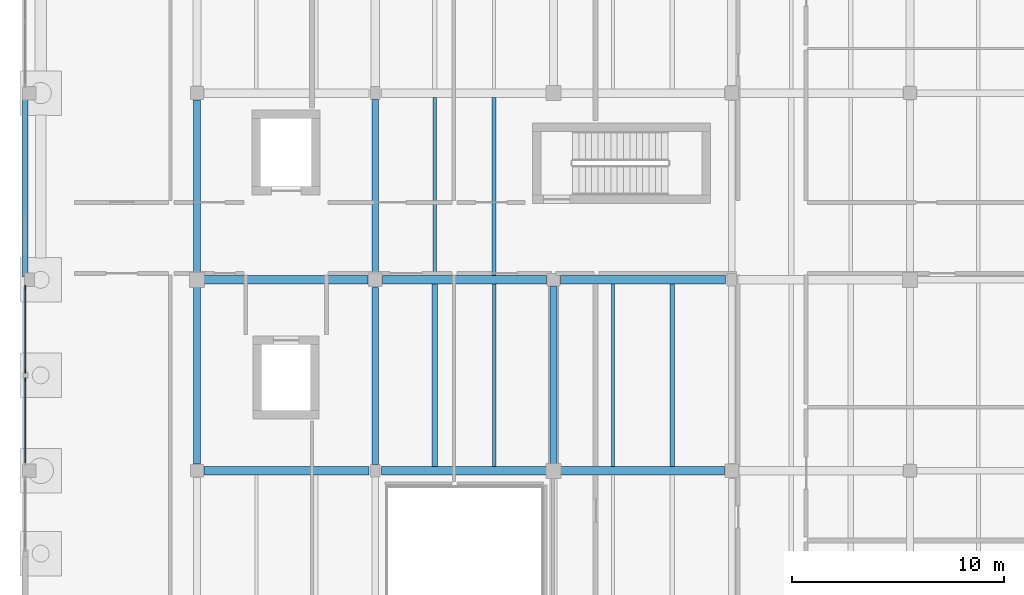
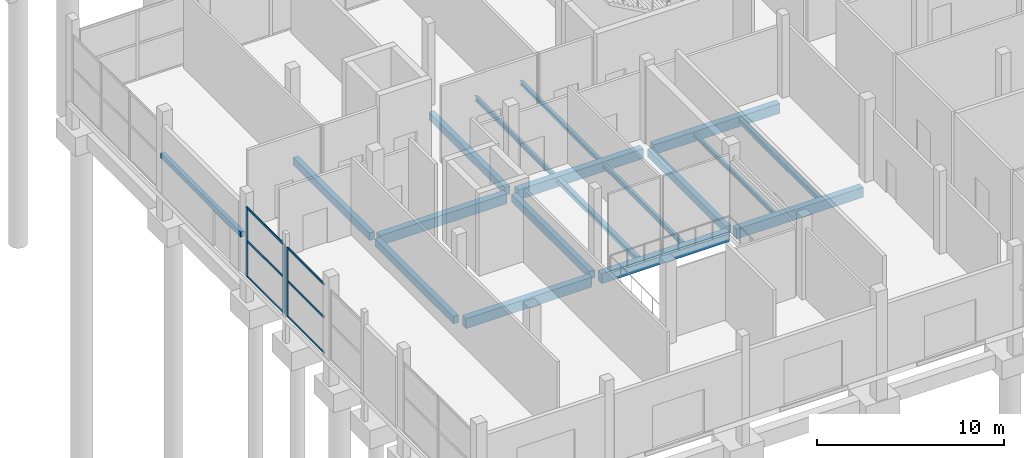
# One storey, part 18 of 88: 18 beams, 9 members, 2 elements without a shape of their own.
"""IFC4 building model written with IfcOpenShell, lengths in metres."""

from ifc_helpers import new_model, si_unit, direction, frame, origin, origin_2d, place, context, subcontext, project, spatial, rectangle, i_section, extrude, material, layer, layer_set, material_profile, profile_set, type_object, element, aggregate, save


model = new_model("IFC4")

# Units and contexts
model_context = context("Model", 3, precision=1e-05, world=origin(), true_north=direction((0.0, 1.0)))
body_context = subcontext(model_context, "Body", "Model", "MODEL_VIEW")
ifc_project = project(units=[si_unit("LENGTHUNIT", "METRE"), si_unit("AREAUNIT", "SQUARE_METRE"), si_unit("VOLUMEUNIT", "CUBIC_METRE"), si_unit("PLANEANGLEUNIT", "RADIAN"), si_unit("MASSUNIT", "GRAM", prefix="KILO")], contexts=[model_context])

# Site, building, storey
site_placement = place(None, origin())
site = spatial("IfcSite", under=ifc_project, at=site_placement, CompositionType="ELEMENT")
building_placement = place(site_placement, origin())
building = spatial("IfcBuilding", under=site, at=building_placement, Name="Birchvale Park Specialist Clinic", CompositionType="ELEMENT")
storey_placement = place(building_placement, origin())
storey = spatial("IfcBuildingStorey", under=building, at=storey_placement, Name="L00", CompositionType="ELEMENT", Elevation=0.0)

# Beams
ifc_material_1 = material(Name="Concrete C40/50", Category="concrete")
ifc_material_profile_1 = material_profile(ifc_material_1, rectangle(XDim=0.39990234375, YDim=0.64990234375, at=origin_2d()), Name="RCB-400x650")
ifc_profile_set_1 = profile_set([ifc_material_profile_1], Name="Concrete C40/50")
beam_type_1 = type_object("IfcBeamType", Name="BM-INT-BG4", PredefinedType="BEAM", material=ifc_profile_set_1)
beam_1_placement = place(storey_placement, frame((11.52490234375, 16.800048828125, -0.675048828125), z_axis=(1.0, 0.0, 0.0), x_axis=(0.0, 1.0, 0.0)))
element("IfcBeam", 1, at=beam_1_placement, inside=storey, type_object=beam_type_1, Name="V2 L00 X girder 6", PredefinedType="BEAM", context=body_context, shape_type="SweptSolid", body=[
    extrude(rectangle(XDim=0.39990234375, YDim=0.64990234375, at=origin_2d()), origin(), (0.0, 0.0, 1.0), 7.775146484375),
])
beam_2_placement = place(storey_placement, frame((19.89990234375, 16.800048828125, -0.675048828125), z_axis=(1.0, 0.0, 0.0), x_axis=(0.0, 1.0, 0.0)))
element("IfcBeam", 2, at=beam_2_placement, inside=storey, type_object=beam_type_1, Name="V2 L00 X girder 7", PredefinedType="BEAM", context=body_context, shape_type="SweptSolid", body=[
    extrude(rectangle(XDim=0.39990234375, YDim=0.64990234375, at=origin_2d()), origin(), (0.0, 0.0, 1.0), 7.875),
])
for number, where, z_axis, x_axis, name in (
    (3, (28.22509765625, 16.800048828125, -0.675048828125), (1.0, 0.0, 0.0), (0.0, 1.0, 0.0), "V2 L00 X girder 8"),
    (4, (11.425048828125, 25.800048828125, -0.675048828125), (1.0, 0.0, 0.0), (0.0, 1.0, 0.0), "V2 L00 X girder 11"),
):
    element("IfcBeam", number, at=place(storey_placement, frame(where, z_axis=z_axis, x_axis=x_axis)), inside=storey, type_object=beam_type_1, Name=name, PredefinedType="BEAM", context=body_context, shape_type="SweptSolid", body=[
        extrude(rectangle(XDim=0.39990234375, YDim=0.64990234375, at=origin_2d()), origin(), (0.0, 0.0, 1.0), 7.824951171875),
    ])
beam_3_placement = place(storey_placement, frame((19.949951171875, 25.800048828125, -0.675048828125), z_axis=(1.0, 0.0, 0.0), x_axis=(0.0, 1.0, 0.0)))
element("IfcBeam", 5, at=beam_3_placement, inside=storey, type_object=beam_type_1, Name="V2 L00 X girder 12", PredefinedType="BEAM", context=body_context, shape_type="SweptSolid", body=[
    extrude(rectangle(XDim=0.39990234375, YDim=0.64990234375, at=origin_2d()), origin(), (0.0, 0.0, 1.0), 7.72509765625),
])
beam_4_placement = place(storey_placement, frame((28.324951171875, 25.800048828125, -0.675048828125), z_axis=(1.0, 0.0, 0.0), x_axis=(0.0, 1.0, 0.0)))
element("IfcBeam", 6, at=beam_4_placement, inside=storey, type_object=beam_type_1, Name="V2 L00 X girder 13", PredefinedType="BEAM", context=body_context, shape_type="SweptSolid", body=[
    extrude(rectangle(XDim=0.39990234375, YDim=0.64990234375, at=origin_2d()), origin(), (0.0, 0.0, 1.0), 7.775146484375),
])
ifc_material_profile_2 = material_profile(ifc_material_1, rectangle(XDim=0.320068359375, YDim=0.5, at=origin_2d()), Name="RCB-320x500")
ifc_profile_set_2 = profile_set([ifc_material_profile_2], Name="Concrete C40/50")
beam_type_2 = type_object("IfcBeamType", Name="BM-INT-BG7", PredefinedType="BEAM", material=ifc_profile_set_2)
beam_5_placement = place(storey_placement, frame((11.199951171875, 17.125, -0.60009765625), z_axis=(0.0, 1.0, 0.0), x_axis=(-1.0, 0.0, 0.0)))
element("IfcBeam", 7, at=beam_5_placement, inside=storey, type_object=beam_type_2, Name="V2 L00 Y girder 27", PredefinedType="BEAM", context=body_context, shape_type="SweptSolid", body=[
    extrude(rectangle(XDim=0.320068359375, YDim=0.5, at=origin_2d()), origin(), (0.0, 0.0, 1.0), 8.375),
])
beam_6_placement = place(storey_placement, frame((11.199951171875, 26.10009765625, -0.60009765625), z_axis=(0.0, 1.0, 0.0), x_axis=(-1.0, 0.0, 0.0)))
element("IfcBeam", 8, at=beam_6_placement, inside=storey, type_object=beam_type_2, Name="V2 L00 Y girder 28", PredefinedType="BEAM", context=body_context, shape_type="SweptSolid", body=[
    extrude(rectangle(XDim=0.320068359375, YDim=0.5, at=origin_2d()), origin(), (0.0, 0.0, 1.0), 8.1748046875),
])
beam_7_placement = place(storey_placement, frame((19.60009765625, 17.10009765625, -0.60009765625), z_axis=(0.0, 1.0, 0.0), x_axis=(-1.0, 0.0, 0.0)))
element("IfcBeam", 9, at=beam_7_placement, inside=storey, type_object=beam_type_2, Name="V2 L00 Y girder 31", PredefinedType="BEAM", context=body_context, shape_type="SweptSolid", body=[
    extrude(rectangle(XDim=0.320068359375, YDim=0.5, at=origin_2d()), origin(), (0.0, 0.0, 1.0), 8.349853515625),
])
beam_8_placement = place(storey_placement, frame((19.60009765625, 26.14990234375, -0.60009765625), z_axis=(0.0, 1.0, 0.0), x_axis=(-1.0, 0.0, 0.0)))
element("IfcBeam", 10, at=beam_8_placement, inside=storey, type_object=beam_type_2, Name="V2 L00 Y girder 32", PredefinedType="BEAM", context=body_context, shape_type="SweptSolid", body=[
    extrude(rectangle(XDim=0.320068359375, YDim=0.5, at=origin_2d()), origin(), (0.0, 0.0, 1.0), 8.150146484375),
])
beam_9_placement = place(storey_placement, frame((28.0, 17.10009765625, -0.60009765625), z_axis=(0.0, 1.0, 0.0), x_axis=(-1.0, 0.0, 0.0)))
element("IfcBeam", 11, at=beam_9_placement, inside=storey, type_object=beam_type_2, Name="V2 L00 Y girder 35", PredefinedType="BEAM", context=body_context, shape_type="SweptSolid", body=[
    extrude(rectangle(XDim=0.320068359375, YDim=0.5, at=origin_2d()), origin(), (0.0, 0.0, 1.0), 8.375),
])

# Curtain wall, members
ifc_material_2 = material(Name="Thermally broken anodised aluminium", Category="aluminium")
ifc_layer = layer(ifc_material_2, 0.195068359375)
ifc_layer_set = layer_set([ifc_layer], Name="Thermally broken anodised aluminium")
curtain_wall_type = type_object("IfcCurtainWallType", Name="CW-U2", PredefinedType="USERDEFINED", material=ifc_layer_set)
curtain_wall_1_placement = place(storey_placement, origin())
curtain_wall_1 = element("IfcCurtainWall", 12, at=curtain_wall_1_placement, inside=storey, type_object=curtain_wall_type, Name="V2 L00 glazed curtain wall 20", ObjectType="UNITISED", PredefinedType="USERDEFINED")
ifc_material_profile_3 = material_profile(ifc_material_2, rectangle(XDim=0.06494140625, YDim=0.179931640625, at=origin_2d()), Name="CWM-65x180")
ifc_profile_set_3 = profile_set([ifc_material_profile_3], Name="Thermally broken anodised aluminium")
member_type_1 = type_object("IfcMemberType", Name="CWM2", PredefinedType="MULLION", material=ifc_profile_set_3)
member_1_placement = place(storey_placement, frame((3.10498046875, 25.452392578125, 0.0), z_axis=(0.0, 0.0, 1.0), x_axis=(1.0, 0.0, 0.0)))
member_1 = element("IfcMember", 13, at=member_1_placement, type_object=member_type_1, Name="CW mullion 1", PredefinedType="MULLION", context=body_context, shape_type="SweptSolid", body=[
    extrude(rectangle(XDim=0.06494140625, YDim=0.179931640625, at=origin_2d()), origin(), (0.0, 0.0, 1.0), 4.534912109375),
])
member_2_placement = place(storey_placement, frame((3.10498046875, 21.492431640625, 0.0), z_axis=(0.0, 0.0, 1.0), x_axis=(1.0, 0.0, 0.0)))
member_2 = element("IfcMember", 14, at=member_2_placement, type_object=member_type_1, Name="CW mullion 2", PredefinedType="MULLION", context=body_context, shape_type="SweptSolid", body=[
    extrude(rectangle(XDim=0.06494140625, YDim=0.179931640625, at=origin_2d()), origin(), (0.0, 0.0, 1.0), 4.534912109375),
])

# Curtain wall, member
curtain_wall_2_placement = place(storey_placement, origin())
curtain_wall_2 = element("IfcCurtainWall", 15, at=curtain_wall_2_placement, inside=storey, type_object=curtain_wall_type, Name="V2 L00 glazed curtain wall 21", ObjectType="UNITISED", PredefinedType="USERDEFINED")
member_3_placement = place(storey_placement, frame((3.10498046875, 21.107421875, 0.0), z_axis=(0.0, 0.0, 1.0), x_axis=(1.0, 0.0, 0.0)))
member_3 = element("IfcMember", 16, at=member_3_placement, type_object=member_type_1, Name="CW mullion 1", PredefinedType="MULLION", context=body_context, shape_type="SweptSolid", body=[
    extrude(rectangle(XDim=0.06494140625, YDim=0.179931640625, at=origin_2d()), origin(), (0.0, 0.0, 1.0), 4.534912109375),
])

# Member
ifc_material_profile_4 = material_profile(ifc_material_2, rectangle(XDim=0.06494140625, YDim=0.139892578125, at=origin_2d()), Name="CWT-65x140")
ifc_profile_set_4 = profile_set([ifc_material_profile_4], Name="Thermally broken anodised aluminium")
member_type_2 = type_object("IfcMemberType", Name="CWT2", PredefinedType="USERDEFINED", material=ifc_profile_set_4)
member_4_placement = place(storey_placement, frame((3.10498046875, 25.419921875, 0.032470703125), z_axis=(0.0, -1.0, 0.0), x_axis=(1.0, 0.0, 0.0)))
member_4 = element("IfcMember", 17, at=member_4_placement, type_object=member_type_2, Name="CW transom 1.1", ObjectType="TRANSOM", PredefinedType="USERDEFINED", context=body_context, shape_type="SweptSolid", body=[
    extrude(rectangle(XDim=0.06494140625, YDim=0.139892578125, at=origin_2d()), origin(), (0.0, 0.0, 1.0), 3.89501953125),
])

member_5_placement = place(storey_placement, frame((3.10498046875, 25.419921875, 2.358154296875), z_axis=(0.0, -1.0, 0.0), x_axis=(1.0, 0.0, 0.0)))
member_5 = element("IfcMember", 18, at=member_5_placement, type_object=member_type_2, Name="CW transom 1.2", ObjectType="TRANSOM", PredefinedType="USERDEFINED", context=body_context, shape_type="SweptSolid", body=[
    extrude(rectangle(XDim=0.06494140625, YDim=0.139892578125, at=origin_2d()), origin(), (0.0, 0.0, 1.0), 3.89501953125),
])

member_6_placement = place(storey_placement, frame((3.10498046875, 25.419921875, 4.50244140625), z_axis=(0.0, -1.0, 0.0), x_axis=(1.0, 0.0, 0.0)))
member_6 = element("IfcMember", 19, at=member_6_placement, type_object=member_type_2, Name="CW transom 1.3", ObjectType="TRANSOM", PredefinedType="USERDEFINED", context=body_context, shape_type="SweptSolid", body=[
    extrude(rectangle(XDim=0.06494140625, YDim=0.139892578125, at=origin_2d()), origin(), (0.0, 0.0, 1.0), 3.89501953125),
])

aggregate(curtain_wall_1, [member_1, member_2, member_4, member_5, member_6])

member_7_placement = place(storey_placement, frame((3.10498046875, 21.074951171875, 0.032470703125), z_axis=(0.0, -1.0, 0.0), x_axis=(1.0, 0.0, 0.0)))
member_7 = element("IfcMember", 20, at=member_7_placement, type_object=member_type_2, Name="CW transom 1.1", ObjectType="TRANSOM", PredefinedType="USERDEFINED", context=body_context, shape_type="SweptSolid", body=[
    extrude(rectangle(XDim=0.06494140625, YDim=0.139892578125, at=origin_2d()), origin(), (0.0, 0.0, 1.0), 3.89501953125),
])

member_8_placement = place(storey_placement, frame((3.10498046875, 21.074951171875, 2.358154296875), z_axis=(0.0, -1.0, 0.0), x_axis=(1.0, 0.0, 0.0)))
member_8 = element("IfcMember", 21, at=member_8_placement, type_object=member_type_2, Name="CW transom 1.2", ObjectType="TRANSOM", PredefinedType="USERDEFINED", context=body_context, shape_type="SweptSolid", body=[
    extrude(rectangle(XDim=0.06494140625, YDim=0.139892578125, at=origin_2d()), origin(), (0.0, 0.0, 1.0), 3.89501953125),
])

member_9_placement = place(storey_placement, frame((3.10498046875, 21.074951171875, 4.50244140625), z_axis=(0.0, -1.0, 0.0), x_axis=(1.0, 0.0, 0.0)))
member_9 = element("IfcMember", 22, at=member_9_placement, type_object=member_type_2, Name="CW transom 1.3", ObjectType="TRANSOM", PredefinedType="USERDEFINED", context=body_context, shape_type="SweptSolid", body=[
    extrude(rectangle(XDim=0.06494140625, YDim=0.139892578125, at=origin_2d()), origin(), (0.0, 0.0, 1.0), 3.89501953125),
])

aggregate(curtain_wall_2, [member_3, member_7, member_8, member_9])

# Beams
ifc_material_profile_5 = material_profile(ifc_material_1, rectangle(XDim=0.25, YDim=0.340087890625, at=origin_2d()), Name="LNT-250x340")
ifc_profile_set_5 = profile_set([ifc_material_profile_5], Name="Concrete C40/50")
beam_type_3 = type_object("IfcBeamType", Name="LNT-EXT-LN1", PredefinedType="LINTEL", material=ifc_profile_set_5)
beam_10_placement = place(storey_placement, frame((3.10498046875, 34.469970703125, 2.469970703125), z_axis=(0.0, -1.0, 0.0), x_axis=(1.0, 0.0, 0.0)))
element("IfcBeam", 23, at=beam_10_placement, inside=storey, type_object=beam_type_3, Name="V2 L00 exit opening lintel 7", PredefinedType="LINTEL", context=body_context, shape_type="SweptSolid", body=[
    extrude(rectangle(XDim=0.25, YDim=0.340087890625, at=origin_2d()), origin(), (0.0, 0.0, 1.0), 8.5400390625),
])
ifc_material_3 = material(Name="Steel ASTM A992 Grade 50", Category="steel")
ifc_material_profile_6 = material_profile(ifc_material_3, i_section(OverallWidth=0.2041015625, OverallDepth=0.35107421875, WebThickness=0.008544921875, FlangeThickness=0.01513671875, at=origin_2d()), Name="W14X48")
ifc_profile_set_6 = profile_set([ifc_material_profile_6], Name="Steel ASTM A992 Grade 50")
beam_type_4 = type_object("IfcBeamType", Name="STL-INT-SJ1", PredefinedType="JOIST", material=ifc_profile_set_6)
beam_11_placement = place(storey_placement, frame((33.60009765625, 17.0, -0.525390625), z_axis=(0.0, 1.0, 0.0), x_axis=(-1.0, 0.0, 0.0)))
element("IfcBeam", 24, at=beam_11_placement, inside=storey, type_object=beam_type_4, Name="V2 L00 secondary floor joist 14", PredefinedType="JOIST", context=body_context, shape_type="SweptSolid", body=[
    extrude(i_section(OverallWidth=0.2041015625, OverallDepth=0.35107421875, WebThickness=0.008544921875, FlangeThickness=0.01513671875, at=origin_2d()), origin(), (0.0, 0.0, 1.0), 8.60009765625),
])
ifc_material_profile_7 = material_profile(ifc_material_3, i_section(OverallWidth=0.25390625, OverallDepth=0.305908203125, WebThickness=0.0087890625, FlangeThickness=0.0146484375, at=origin_2d()), Name="W12X53")
ifc_profile_set_7 = profile_set([ifc_material_profile_7], Name="Steel ASTM A992 Grade 50")
beam_type_5 = type_object("IfcBeamType", Name="STL-INT-SJ2", PredefinedType="JOIST", material=ifc_profile_set_7)
beam_12_placement = place(storey_placement, frame((22.39990234375, 17.0, -0.5029296875), z_axis=(0.0, 1.0, 0.0), x_axis=(-1.0, 0.0, 0.0)))
element("IfcBeam", 25, at=beam_12_placement, inside=storey, type_object=beam_type_5, Name="V2 L00 secondary floor joist 5", PredefinedType="JOIST", context=body_context, shape_type="SweptSolid", body=[
    extrude(i_section(OverallWidth=0.25390625, OverallDepth=0.305908203125, WebThickness=0.0087890625, FlangeThickness=0.0146484375, at=origin_2d()), origin(), (0.0, 0.0, 1.0), 8.60009765625),
])
ifc_material_profile_8 = material_profile(ifc_material_3, i_section(OverallWidth=0.1669921875, OverallDepth=0.31689453125, WebThickness=0.007568359375, FlangeThickness=0.01318359375, at=origin_2d()), Name="W12X35")
ifc_profile_set_8 = profile_set([ifc_material_profile_8], Name="Steel ASTM A992 Grade 50")
beam_type_6 = type_object("IfcBeamType", Name="STL-INT-SJ3", PredefinedType="JOIST", material=ifc_profile_set_8)
beam_13_placement = place(storey_placement, frame((25.199951171875, 17.0, -0.508544921875), z_axis=(0.0, 1.0, 0.0), x_axis=(-1.0, 0.0, 0.0)))
element("IfcBeam", 26, at=beam_13_placement, inside=storey, type_object=beam_type_6, Name="V2 L00 secondary floor joist 6", PredefinedType="JOIST", context=body_context, shape_type="SweptSolid", body=[
    extrude(i_section(OverallWidth=0.1669921875, OverallDepth=0.31689453125, WebThickness=0.007568359375, FlangeThickness=0.01318359375, at=origin_2d()), origin(), (0.0, 0.0, 1.0), 8.60009765625),
])
beam_14_placement = place(storey_placement, frame((22.39990234375, 26.0, -0.508544921875), z_axis=(0.0, 1.0, 0.0), x_axis=(-1.0, 0.0, 0.0)))
element("IfcBeam", 27, at=beam_14_placement, inside=storey, type_object=beam_type_6, Name="V2 L00 secondary floor joist 7", PredefinedType="JOIST", context=body_context, shape_type="SweptSolid", body=[
    extrude(i_section(OverallWidth=0.1669921875, OverallDepth=0.31689453125, WebThickness=0.007568359375, FlangeThickness=0.01318359375, at=origin_2d()), origin(), (0.0, 0.0, 1.0), 8.39990234375),
])
ifc_material_profile_9 = material_profile(ifc_material_3, i_section(OverallWidth=0.202880859375, OverallDepth=0.251953125, WebThickness=0.008056640625, FlangeThickness=0.013427734375, at=origin_2d()), Name="W10X39")
ifc_profile_set_9 = profile_set([ifc_material_profile_9], Name="Steel ASTM A992 Grade 50")
beam_type_7 = type_object("IfcBeamType", Name="STL-INT-SJ4", PredefinedType="JOIST", material=ifc_profile_set_9)
beam_15_placement = place(storey_placement, frame((25.199951171875, 26.0, -0.47607421875), z_axis=(0.0, 1.0, 0.0), x_axis=(-1.0, 0.0, 0.0)))
element("IfcBeam", 28, at=beam_15_placement, inside=storey, type_object=beam_type_7, Name="V2 L00 secondary floor joist 8", PredefinedType="JOIST", context=body_context, shape_type="SweptSolid", body=[
    extrude(i_section(OverallWidth=0.202880859375, OverallDepth=0.251953125, WebThickness=0.008056640625, FlangeThickness=0.013427734375, at=origin_2d()), origin(), (0.0, 0.0, 1.0), 8.39990234375),
])
ifc_material_profile_10 = material_profile(ifc_material_3, i_section(OverallWidth=0.14697265625, OverallDepth=0.261962890625, WebThickness=0.006591796875, FlangeThickness=0.01123046875, at=origin_2d()), Name="W10X26")
ifc_profile_set_10 = profile_set([ifc_material_profile_10], Name="Steel ASTM A992 Grade 50")
beam_type_8 = type_object("IfcBeamType", Name="STL-INT-SJ5", PredefinedType="JOIST", material=ifc_profile_set_10)
beam_16_placement = place(storey_placement, frame((30.800048828125, 17.0, -0.48095703125), z_axis=(0.0, 1.0, 0.0), x_axis=(-1.0, 0.0, 0.0)))
element("IfcBeam", 29, at=beam_16_placement, inside=storey, type_object=beam_type_8, Name="V2 L00 secondary floor joist 13", PredefinedType="JOIST", context=body_context, shape_type="SweptSolid", body=[
    extrude(i_section(OverallWidth=0.14697265625, OverallDepth=0.261962890625, WebThickness=0.006591796875, FlangeThickness=0.01123046875, at=origin_2d()), origin(), (0.0, 0.0, 1.0), 8.60009765625),
])

save(model, "model.ifc")
